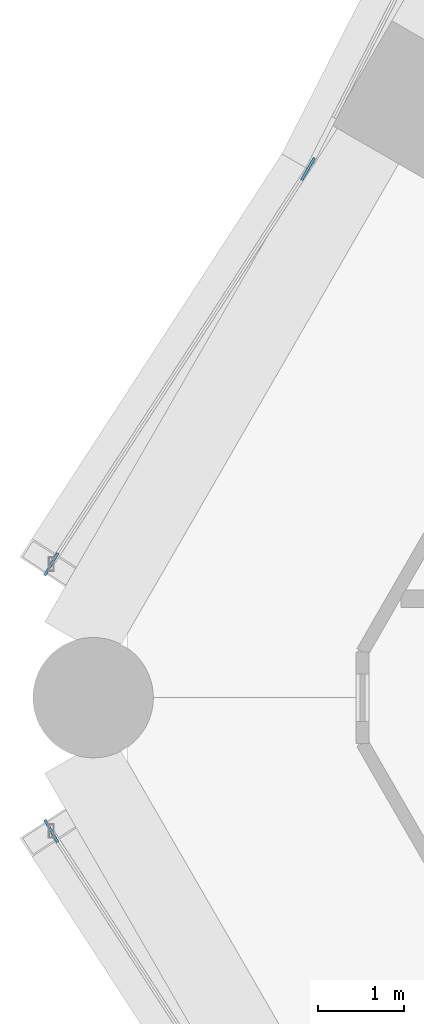
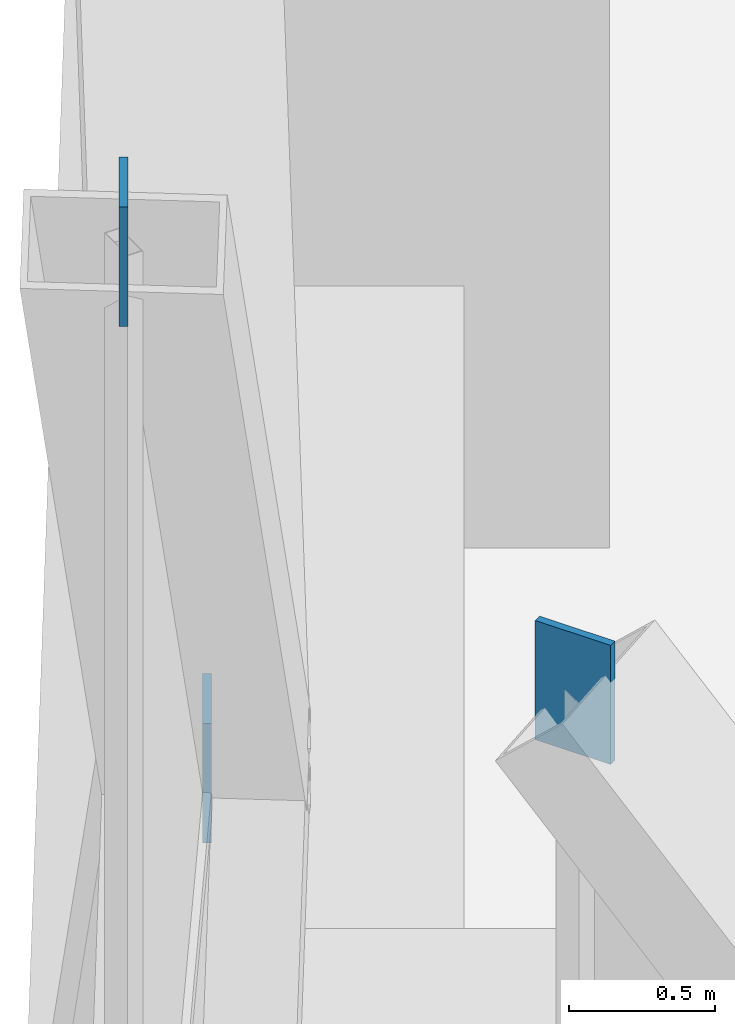
# One storey, part 42 of 46: 3 discrete accessories.
"""IFC4 building model written with IfcOpenShell, lengths in metres."""

from ifc_helpers import new_model, si_unit, direction, frame, origin, origin_2d, place, context, subcontext, project, spatial, rectangle, extrude, material, layer, layer_set, type_object, element, save


model = new_model("IFC4")

# Units and contexts
model_context = context("Model", 3, precision=1e-05, world=origin(), true_north=direction((0.0, 1.0)))
body_context = subcontext(model_context, "Body", "Model", "MODEL_VIEW")
ifc_project = project(units=[si_unit("LENGTHUNIT", "METRE"), si_unit("AREAUNIT", "SQUARE_METRE"), si_unit("VOLUMEUNIT", "CUBIC_METRE"), si_unit("PLANEANGLEUNIT", "RADIAN"), si_unit("MASSUNIT", "GRAM", prefix="KILO")], contexts=[model_context])

# Site, building, storey
site_placement = place(None, origin())
site = spatial("IfcSite", under=ifc_project, at=site_placement, CompositionType="ELEMENT")
building_placement = place(site_placement, origin())
building = spatial("IfcBuilding", under=site, at=building_placement, Name="Ostrander Bayou Hotel Tower", CompositionType="ELEMENT")
storey_placement = place(building_placement, frame((0.0, 0.0, 23.5)))
storey = spatial("IfcBuildingStorey", under=building, at=storey_placement, Name="L05", CompositionType="ELEMENT", Elevation=23.5)

# Discrete accessories
ifc_material = material(Name="Steel ASTM A572 Gr 50", Category="steel")
ifc_layer = layer(ifc_material, 0.030029296875)
ifc_layer_set = layer_set([ifc_layer], Name="GP1 gusset plate 30 mm")
discrete_accessory_type = type_object("IfcDiscreteAccessoryType", Name="GP1 gusset plate 30 mm", PredefinedType="BRACKET", material=ifc_layer_set)
for number, where, z_axis, x_axis, name in (
    (1, (-21.602294921875, 6.14990234375, 5.14990234375), (0.0, 0.0, 1.0), (-0.5, -0.866025403784, 0.0), "GP1 gusset plate lat 44"),
    (2, (-24.58837890625, 1.551513671875, 11.14990234375), (0.0, 0.0, 1.0), (-0.5, -0.866025403784, 0.0), "GP1 gusset plate lat 45"),
    (3, (-24.58837890625, -1.551513671875, 11.14990234375), (0.0, 0.0, 1.0), (0.5, -0.866025403784, 0.0), "GP1 gusset plate lat 47"),
):
    element("IfcDiscreteAccessory", number, at=place(storey_placement, frame(where, z_axis=z_axis, x_axis=x_axis)), inside=storey, type_object=discrete_accessory_type, Name=name, PredefinedType="BRACKET", context=body_context, shape_type="SweptSolid", body=[
        extrude(rectangle(XDim=0.300048828125, YDim=0.030029296875, at=origin_2d()), origin(), (0.0, 0.0, 1.0), 0.5),
    ])

save(model, "model.ifc")
